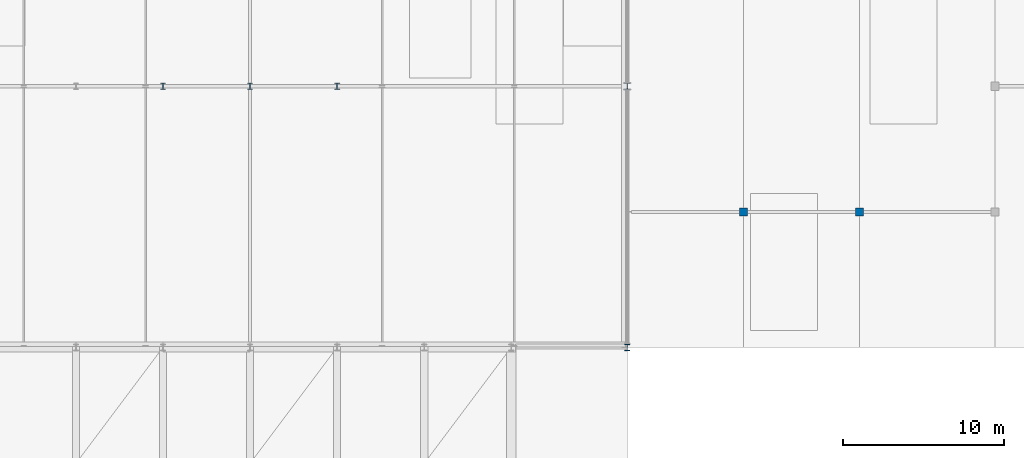
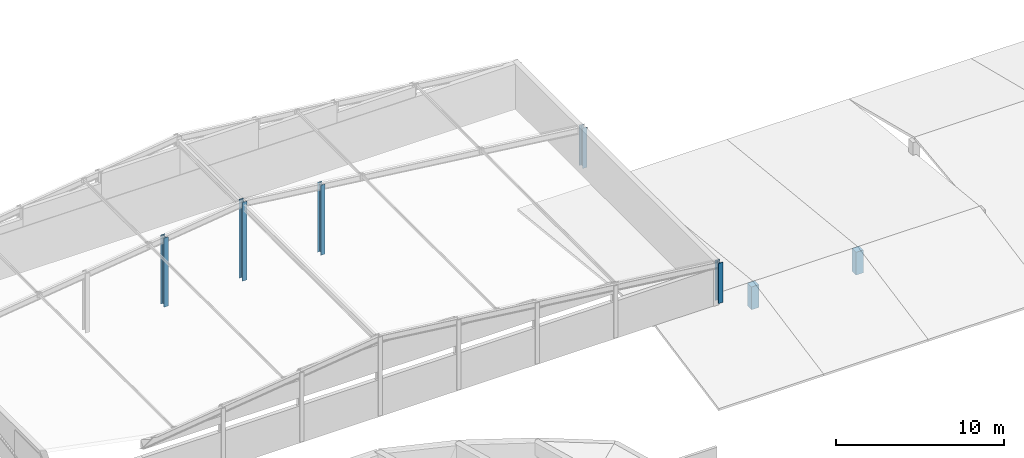
# One storey, part 3 of 27: 7 columns.
"""IFC4 building model written with IfcOpenShell, lengths in metres."""

import ifcopenshell
import ifcopenshell.guid

model = None  # the IFC model being written
_history = None  # IfcOwnerHistory: only IFC2X3 demands one
_inside = {}  # id of a spatial element -> (the spatial element, [elements in it])
_under = {}  # id of a project, library or spatial element -> (it, [spatial elements below it])
_declared = {}  # id of a project -> (the project, [libraries it declares])
_typed = {}  # id of a type object -> (the type object, [elements of that type])
_made_of = {}  # id of a material, layer set ... -> (it, [elements and type objects made of it])


def new_model(schema):
    """Start an empty IFC model of exactly this schema.

    Asked for "IFC4X3", IfcOpenShell would pick the latest addendum, in which some entities
    have other attributes; the version numbers below select the first issue.
    IFC2X3 requires an IfcOwnerHistory on every rooted entity: one is made here for all.
    """
    global model, _history
    if schema == "IFC4X3":
        model = ifcopenshell.file(schema_version=(4, 3, 0, 0))
    else:
        model = ifcopenshell.file(schema=schema)
    _inside.clear()
    _under.clear()
    _declared.clear()
    _typed.clear()
    _made_of.clear()
    _history = None
    if model.schema == "IFC2X3":
        org = make("IfcOrganization", Name="unknown")
        user = make(
            "IfcPersonAndOrganization",
            ThePerson=make("IfcPerson", FamilyName="unknown"),
            TheOrganization=org,
        )
        app = make(
            "IfcApplication",
            ApplicationDeveloper=org,
            Version="unknown",
            ApplicationFullName="unknown",
            ApplicationIdentifier="unknown",
        )
        _history = make(
            "IfcOwnerHistory",
            OwningUser=user,
            OwningApplication=app,
            ChangeAction="ADDED",
            CreationDate=0,
        )
    return model


def make(cls, **values):
    """One entity of the class cls with the attributes given. An attribute that is None is left unset."""
    return model.create_entity(
        cls, **{name: value for name, value in values.items() if value is not None}
    )


def rooted(cls, **values):
    """An entity with a GlobalId (a new one), such as an element, a storey or a relation."""
    return make(cls, GlobalId=ifcopenshell.guid.new(), OwnerHistory=_history, **values)


def si_unit(unit_type, name, prefix=None):
    """IfcSIUnit, for example si_unit("LENGTHUNIT", "METRE", prefix="MILLI")."""
    return make("IfcSIUnit", UnitType=unit_type, Prefix=prefix, Name=name)


def assignment(units):
    """IfcUnitAssignment: the units of a project."""
    return None if units is None else make("IfcUnitAssignment", Units=units)


def point(xyz):
    """IfcCartesianPoint."""
    return None if xyz is None else make("IfcCartesianPoint", Coordinates=xyz)


def direction(xyz):
    """IfcDirection."""
    return None if xyz is None else make("IfcDirection", DirectionRatios=xyz)


def frame(location, z_axis=None, x_axis=None):
    """IfcAxis2Placement3D, a coordinate frame: its origin and axes. An axis left out is left unset."""
    return make(
        "IfcAxis2Placement3D",
        Location=point(location),
        Axis=direction(z_axis),
        RefDirection=direction(x_axis),
    )


def frame_2d(location, x_axis=None):
    """IfcAxis2Placement2D, a coordinate frame in the plane: its origin and x axis."""
    return make(
        "IfcAxis2Placement2D", Location=point(location), RefDirection=direction(x_axis)
    )


def origin():
    """The frame at (0, 0, 0) with its axes left unset."""
    return frame((0.0, 0.0, 0.0))


def origin_2d():
    """The frame at (0, 0) in the plane with its x axis left unset."""
    return frame_2d((0.0, 0.0))


def place(relative_to, where):
    """IfcLocalPlacement: puts the frame where relative to a parent placement (None: the world)."""
    return make(
        "IfcLocalPlacement", PlacementRelTo=relative_to, RelativePlacement=where
    )


def context(
    kind, dimensions, precision=None, world=None, true_north=None, identifier=None
):
    """IfcGeometricRepresentationContext, for example the 3D "Model" context."""
    return make(
        "IfcGeometricRepresentationContext",
        ContextIdentifier=identifier,
        ContextType=kind,
        CoordinateSpaceDimension=dimensions,
        Precision=precision,
        WorldCoordinateSystem=world,
        TrueNorth=true_north,
    )


def subcontext(parent, identifier, kind, view, scale=None):
    """IfcGeometricRepresentationSubContext, for example "Body" below "Model"."""
    return make(
        "IfcGeometricRepresentationSubContext",
        ContextIdentifier=identifier,
        ContextType=kind,
        ParentContext=parent,
        TargetScale=scale,
        TargetView=view,
    )


def project(units=None, contexts=None):
    """IfcProject with its units and contexts."""
    return rooted(
        "IfcProject",
        Name="project",
        RepresentationContexts=contexts,
        UnitsInContext=assignment(units),
    )


def spatial(cls, under=None, at=None, **own):
    """A site, building, storey or space (cls), placed at a placement, below another one or the project."""
    s = rooted(cls, ObjectPlacement=at, **own)
    if under is not None:
        _under.setdefault(under.id(), (under, []))[1].append(s)
    return s


def profile(cls, at=None, kind="AREA", **sizes):
    """A parametric profile (cls). Its sizes go by their IFC names, for example OverallWidth=200.0."""
    return make(cls, ProfileType=kind, Position=at, **sizes)


def rectangle(**sizes):
    """IfcRectangleProfileDef."""
    return profile("IfcRectangleProfileDef", **sizes)


def i_section(**sizes):
    """IfcIShapeProfileDef."""
    return profile("IfcIShapeProfileDef", **sizes)


def extrude(swept, where, along, depth):
    """IfcExtrudedAreaSolid: the profile swept, set in the frame where, extruded along a direction by depth."""
    return make(
        "IfcExtrudedAreaSolid",
        SweptArea=swept,
        Position=where,
        ExtrudedDirection=direction(along),
        Depth=depth,
    )


def shape(context_of_items, identifier, shape_type, items):
    """IfcShapeRepresentation: the items that make up one representation, for example the "Body"."""
    return make(
        "IfcShapeRepresentation",
        ContextOfItems=context_of_items,
        RepresentationIdentifier=identifier,
        RepresentationType=shape_type,
        Items=items,
    )


def material(Name=None, Category=None):
    """IfcMaterial."""
    return make("IfcMaterial", Name=Name, Category=Category)


def material_profile(
    of_material, cross_section, Name=None, Category=None, Priority=None
):
    """IfcMaterialProfile: a cross section and its material."""
    return make(
        "IfcMaterialProfile",
        Name=Name,
        Material=of_material,
        Profile=cross_section,
        Priority=Priority,
        Category=Category,
    )


def profile_set(profiles, Name=None, composite=None):
    """IfcMaterialProfileSet."""
    return make(
        "IfcMaterialProfileSet",
        Name=Name,
        MaterialProfiles=profiles,
        CompositeProfile=composite,
    )


def made_of(thing, what):
    """Note that an element or type object is made of a material, layer set ...; save() writes the relation."""
    if what is not None:
        _made_of.setdefault(what.id(), (what, []))[1].append(thing)
    return thing


def type_object(cls, material=None, **own):
    """A type object (cls), such as IfcWallType, which elements share."""
    return made_of(rooted(cls, **own), material)


def element(
    cls,
    number,
    at=None,
    inside=None,
    cuts=None,
    type_object=None,
    material=None,
    context=None,
    identifier="Body",
    shape_type=None,
    held_by="IfcProductDefinitionShape",
    body=None,
    shapes=None,
    **own,
):
    """One element of the class cls, such as IfcWall. Its Tag is "e" and its number.

    at: its placement. inside: the storey or other place that contains it. cuts: it is an
    opening in that element (IfcRelVoidsElement). A single representation is given by context,
    identifier, shape_type and body (its items); several are given by shapes. held_by: the class
    of the entity that holds the representations. save() writes the other relations.
    """
    e = rooted(cls, Tag="e%d" % number, ObjectPlacement=at, **own)
    if body is not None:
        shapes = [shape(context, identifier, shape_type, body)]
    if shapes is not None:
        e.Representation = make(held_by, Representations=shapes)
    if inside is not None:
        _inside.setdefault(inside.id(), (inside, []))[1].append(e)
    if cuts is not None:
        rooted(
            "IfcRelVoidsElement", RelatingBuildingElement=cuts, RelatedOpeningElement=e
        )
    if type_object is not None:
        _typed.setdefault(type_object.id(), (type_object, []))[1].append(e)
    return made_of(e, material)


def aggregate(whole, parts):
    """IfcRelAggregates: a whole, such as a stair, and the parts it consists of."""
    return rooted("IfcRelAggregates", RelatingObject=whole, RelatedObjects=parts)


def save(model, path):
    """Write the relations noted so far, then the file.

    IfcRelAggregates (storeys below a building ...), IfcRelContainedInSpatialStructure (elements
    in a storey), IfcRelDefinesByType, IfcRelAssociatesMaterial and IfcRelDeclares: one each for
    every whole, place, type object, material and project.
    """
    for whole, parts in _under.values():
        aggregate(whole, parts)
    for where, things in _inside.values():
        rooted(
            "IfcRelContainedInSpatialStructure",
            RelatedElements=things,
            RelatingStructure=where,
        )
    for kind, things in _typed.values():
        rooted("IfcRelDefinesByType", RelatedObjects=things, RelatingType=kind)
    for what, things in _made_of.values():
        rooted("IfcRelAssociatesMaterial", RelatedObjects=things, RelatingMaterial=what)
    for by, libraries in _declared.values():
        rooted("IfcRelDeclares", RelatingContext=by, RelatedDefinitions=libraries)
    model.write(path)


model = new_model("IFC4")

# Units and contexts
model_context = context("Model", 3, precision=1e-05, world=origin(), true_north=direction((0.0, 1.0)))
body_context = subcontext(model_context, "Body", "Model", "MODEL_VIEW")
ifc_project = project(units=[si_unit("LENGTHUNIT", "METRE"), si_unit("AREAUNIT", "SQUARE_METRE"), si_unit("VOLUMEUNIT", "CUBIC_METRE"), si_unit("PLANEANGLEUNIT", "RADIAN"), si_unit("MASSUNIT", "GRAM", prefix="KILO")], contexts=[model_context])

# Site, building, storey
site_placement = place(None, origin())
site = spatial("IfcSite", under=ifc_project, at=site_placement, CompositionType="ELEMENT")
building_placement = place(site_placement, origin())
building = spatial("IfcBuilding", under=site, at=building_placement, Name="Tazoul Stagehouse", CompositionType="ELEMENT")
storey_placement = place(building_placement, frame((0.0, 0.0, 24.89990234375)))
storey = spatial("IfcBuildingStorey", under=building, at=storey_placement, Name="RF", CompositionType="ELEMENT", Elevation=24.89990234375)

# Columns
ifc_material_1 = material(Name="Concrete C40/50", Category="concrete")
ifc_material_profile_1 = material_profile(ifc_material_1, rectangle(XDim=0.5, YDim=0.5, at=origin_2d()), Name="RC 500x500")
ifc_profile_set_1 = profile_set([ifc_material_profile_1], Name="Concrete C40/50")
column_type_1 = type_object("IfcColumnType", Name="RC Column 500x500", PredefinedType="COLUMN", material=ifc_profile_set_1)
for number, where, z_axis, x_axis, name in (
    (1, (109.800048828125, 96.199951171875, -7.989990234375), (0.0, 0.0, 1.0), (1.0, 0.0, 0.0), "RF Rehearsal Vault Ridge Column C-02 (VA-17)"),
    (2, (117.0, 96.199951171875, -7.989990234375), (0.0, 0.0, 1.0), (1.0, 0.0, 0.0), "RF Rehearsal Vault Ridge Column C-02 (VA-18)"),
):
    element("IfcColumn", number, at=place(storey_placement, frame(where, z_axis=z_axis, x_axis=x_axis)), inside=storey, type_object=column_type_1, Name=name, PredefinedType="COLUMN", context=body_context, shape_type="SweptSolid", body=[
        extrude(rectangle(XDim=0.5, YDim=0.5, at=origin_2d()), origin(), (0.0, 0.0, 1.0), 1.66015625),
    ])
ifc_material_2 = material(Name="Steel S355", Category="steel")
ifc_material_profile_2 = material_profile(ifc_material_2, i_section(OverallWidth=0.300048828125, OverallDepth=0.39990234375, WebThickness=0.013427734375, FlangeThickness=0.02392578125, FilletRadius=0.027099609375, at=origin_2d()), Name="HEB 400")
ifc_profile_set_2 = profile_set([ifc_material_profile_2], Name="Steel S355")
column_type_2 = type_object("IfcColumnType", Name="Steel Column HEB 400", PredefinedType="COLUMN", material=ifc_profile_set_2)
column_1_placement = place(storey_placement, frame((73.800048828125, 104.0, 0.0), z_axis=(0.0, 0.0, 1.0), x_axis=(1.0, 0.0, 0.0)))
element("IfcColumn", 3, at=column_1_placement, inside=storey, type_object=column_type_2, Name="RF Fly-Tower Column SC-04 at 11/Q", PredefinedType="COLUMN", context=body_context, shape_type="SweptSolid", body=[
    extrude(i_section(OverallWidth=0.300048828125, OverallDepth=0.39990234375, WebThickness=0.013427734375, FlangeThickness=0.02392578125, FilletRadius=0.027099609375, at=origin_2d()), origin(), (0.0, 0.0, 1.0), 5.030029296875),
])
column_2_placement = place(storey_placement, frame((79.199951171875, 104.0, 0.0), z_axis=(0.0, 0.0, 1.0), x_axis=(1.0, 0.0, 0.0)))
element("IfcColumn", 4, at=column_2_placement, inside=storey, type_object=column_type_2, Name="RF Fly-Tower Column SC-04 at 12/Q", PredefinedType="COLUMN", context=body_context, shape_type="SweptSolid", body=[
    extrude(i_section(OverallWidth=0.300048828125, OverallDepth=0.39990234375, WebThickness=0.013427734375, FlangeThickness=0.02392578125, FilletRadius=0.027099609375, at=origin_2d()), origin(), (0.0, 0.0, 1.0), 5.72998046875),
])
column_3_placement = place(storey_placement, frame((84.60009765625, 104.0, 0.0), z_axis=(0.0, 0.0, 1.0), x_axis=(1.0, 0.0, 0.0)))
element("IfcColumn", 5, at=column_3_placement, inside=storey, type_object=column_type_2, Name="RF Fly-Tower Column SC-04 at 13/Q", PredefinedType="COLUMN", context=body_context, shape_type="SweptSolid", body=[
    extrude(i_section(OverallWidth=0.300048828125, OverallDepth=0.39990234375, WebThickness=0.013427734375, FlangeThickness=0.02392578125, FilletRadius=0.027099609375, at=origin_2d()), origin(), (0.0, 0.0, 1.0), 5.083984375),
])
ifc_material_profile_3 = material_profile(ifc_material_2, i_section(OverallWidth=0.300048828125, OverallDepth=0.39990234375, WebThickness=0.013427734375, FlangeThickness=0.02392578125, FilletRadius=0.027099609375, at=origin_2d()), Name="HEB 400")
ifc_profile_set_3 = profile_set([ifc_material_profile_3], Name="Steel S355")
column_type_3 = type_object("IfcColumnType", Name="Steel Column HEB 400 (Exterior)", PredefinedType="COLUMN", material=ifc_profile_set_3)
for number, where, z_axis, x_axis, name in (
    (6, (102.60009765625, 87.800048828125, 0.0), (0.0, 0.0, 1.0), (1.0, 0.0, 0.0), "RF Fly-Tower Column SC-04E at 16/N"),
    (7, (102.60009765625, 104.0, 0.0), (0.0, 0.0, 1.0), (1.0, 0.0, 0.0), "RF Fly-Tower Column SC-04E at 16/Q"),
):
    element("IfcColumn", number, at=place(storey_placement, frame(where, z_axis=z_axis, x_axis=x_axis)), inside=storey, type_object=column_type_3, Name=name, PredefinedType="COLUMN", context=body_context, shape_type="SweptSolid", body=[
        extrude(i_section(OverallWidth=0.300048828125, OverallDepth=0.39990234375, WebThickness=0.013427734375, FlangeThickness=0.02392578125, FilletRadius=0.027099609375, at=origin_2d()), origin(), (0.0, 0.0, 1.0), 2.93017578125),
    ])

save(model, "model.ifc")
